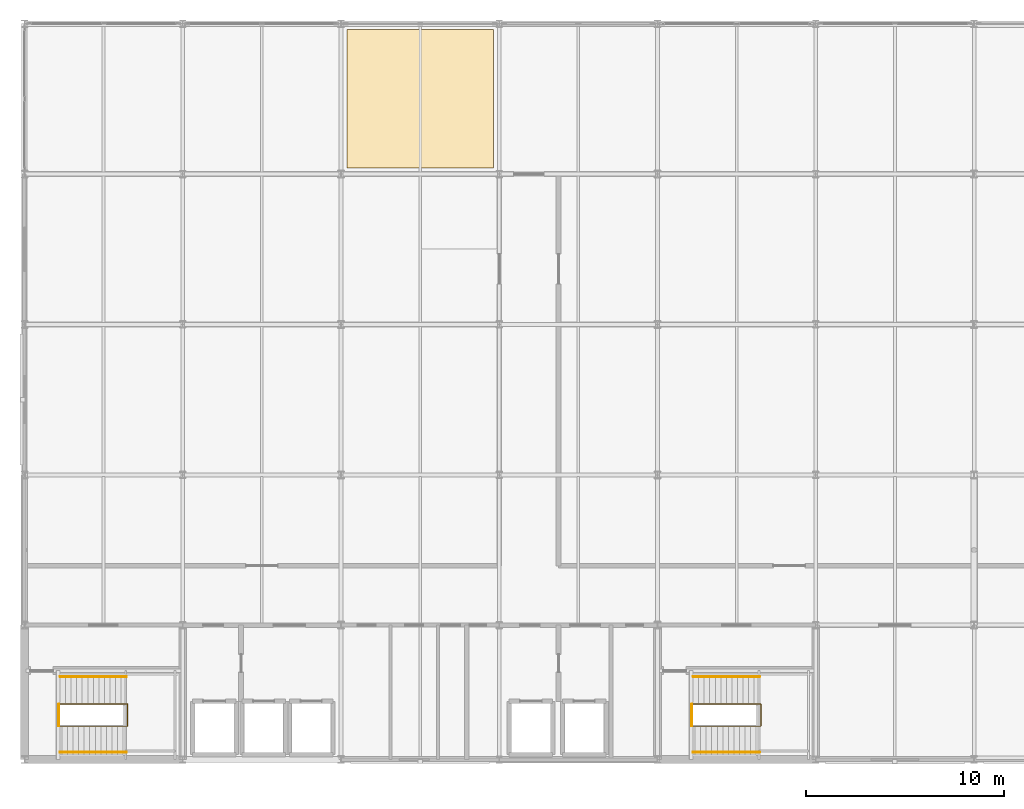
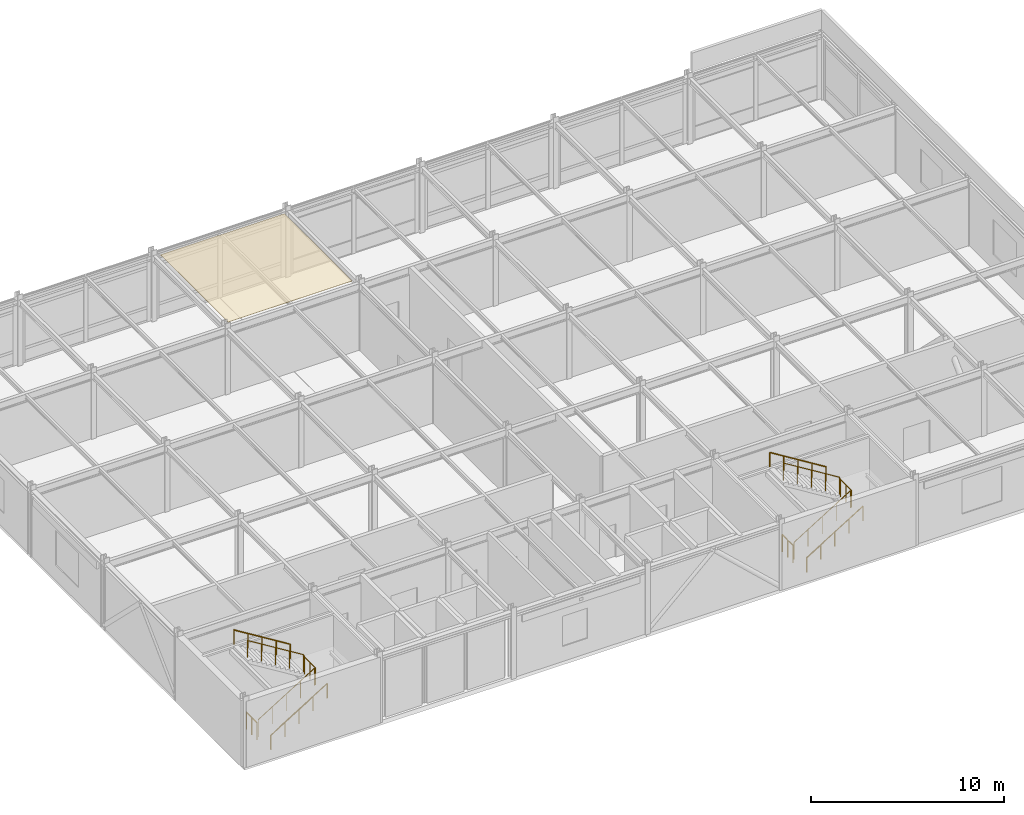
# One storey, part 16 of 16: 8 railings, 1 covering.
"""IFC4 building model written with IfcOpenShell, lengths in metres."""

import ifcopenshell
import ifcopenshell.guid

model = None  # the IFC model being written
_history = None  # IfcOwnerHistory: only IFC2X3 demands one
_inside = {}  # id of a spatial element -> (the spatial element, [elements in it])
_under = {}  # id of a project, library or spatial element -> (it, [spatial elements below it])
_declared = {}  # id of a project -> (the project, [libraries it declares])
_typed = {}  # id of a type object -> (the type object, [elements of that type])
_made_of = {}  # id of a material, layer set ... -> (it, [elements and type objects made of it])


def new_model(schema):
    """Start an empty IFC model of exactly this schema.

    Asked for "IFC4X3", IfcOpenShell would pick the latest addendum, in which some entities
    have other attributes; the version numbers below select the first issue.
    IFC2X3 requires an IfcOwnerHistory on every rooted entity: one is made here for all.
    """
    global model, _history
    if schema == "IFC4X3":
        model = ifcopenshell.file(schema_version=(4, 3, 0, 0))
    else:
        model = ifcopenshell.file(schema=schema)
    _inside.clear()
    _under.clear()
    _declared.clear()
    _typed.clear()
    _made_of.clear()
    _history = None
    if model.schema == "IFC2X3":
        org = make("IfcOrganization", Name="unknown")
        user = make(
            "IfcPersonAndOrganization",
            ThePerson=make("IfcPerson", FamilyName="unknown"),
            TheOrganization=org,
        )
        app = make(
            "IfcApplication",
            ApplicationDeveloper=org,
            Version="unknown",
            ApplicationFullName="unknown",
            ApplicationIdentifier="unknown",
        )
        _history = make(
            "IfcOwnerHistory",
            OwningUser=user,
            OwningApplication=app,
            ChangeAction="ADDED",
            CreationDate=0,
        )
    return model


def make(cls, **values):
    """One entity of the class cls with the attributes given. An attribute that is None is left unset."""
    return model.create_entity(
        cls, **{name: value for name, value in values.items() if value is not None}
    )


def rooted(cls, **values):
    """An entity with a GlobalId (a new one), such as an element, a storey or a relation."""
    return make(cls, GlobalId=ifcopenshell.guid.new(), OwnerHistory=_history, **values)


def si_unit(unit_type, name, prefix=None):
    """IfcSIUnit, for example si_unit("LENGTHUNIT", "METRE", prefix="MILLI")."""
    return make("IfcSIUnit", UnitType=unit_type, Prefix=prefix, Name=name)


def assignment(units):
    """IfcUnitAssignment: the units of a project."""
    return None if units is None else make("IfcUnitAssignment", Units=units)


def point(xyz):
    """IfcCartesianPoint."""
    return None if xyz is None else make("IfcCartesianPoint", Coordinates=xyz)


def direction(xyz):
    """IfcDirection."""
    return None if xyz is None else make("IfcDirection", DirectionRatios=xyz)


def frame(location, z_axis=None, x_axis=None):
    """IfcAxis2Placement3D, a coordinate frame: its origin and axes. An axis left out is left unset."""
    return make(
        "IfcAxis2Placement3D",
        Location=point(location),
        Axis=direction(z_axis),
        RefDirection=direction(x_axis),
    )


def frame_2d(location, x_axis=None):
    """IfcAxis2Placement2D, a coordinate frame in the plane: its origin and x axis."""
    return make(
        "IfcAxis2Placement2D", Location=point(location), RefDirection=direction(x_axis)
    )


def origin():
    """The frame at (0, 0, 0) with its axes left unset."""
    return frame((0.0, 0.0, 0.0))


def origin_2d():
    """The frame at (0, 0) in the plane with its x axis left unset."""
    return frame_2d((0.0, 0.0))


def place(relative_to, where):
    """IfcLocalPlacement: puts the frame where relative to a parent placement (None: the world)."""
    return make(
        "IfcLocalPlacement", PlacementRelTo=relative_to, RelativePlacement=where
    )


def context(
    kind, dimensions, precision=None, world=None, true_north=None, identifier=None
):
    """IfcGeometricRepresentationContext, for example the 3D "Model" context."""
    return make(
        "IfcGeometricRepresentationContext",
        ContextIdentifier=identifier,
        ContextType=kind,
        CoordinateSpaceDimension=dimensions,
        Precision=precision,
        WorldCoordinateSystem=world,
        TrueNorth=true_north,
    )


def subcontext(parent, identifier, kind, view, scale=None):
    """IfcGeometricRepresentationSubContext, for example "Body" below "Model"."""
    return make(
        "IfcGeometricRepresentationSubContext",
        ContextIdentifier=identifier,
        ContextType=kind,
        ParentContext=parent,
        TargetScale=scale,
        TargetView=view,
    )


def project(units=None, contexts=None):
    """IfcProject with its units and contexts."""
    return rooted(
        "IfcProject",
        Name="project",
        RepresentationContexts=contexts,
        UnitsInContext=assignment(units),
    )


def spatial(cls, under=None, at=None, **own):
    """A site, building, storey or space (cls), placed at a placement, below another one or the project."""
    s = rooted(cls, ObjectPlacement=at, **own)
    if under is not None:
        _under.setdefault(under.id(), (under, []))[1].append(s)
    return s


def polyline(points):
    """IfcPolyline through the points."""
    return make("IfcPolyline", Points=[point(p) for p in points])


def profile(cls, at=None, kind="AREA", **sizes):
    """A parametric profile (cls). Its sizes go by their IFC names, for example OverallWidth=200.0."""
    return make(cls, ProfileType=kind, Position=at, **sizes)


def circle(**sizes):
    """IfcCircleProfileDef."""
    return profile("IfcCircleProfileDef", **sizes)


def outline(outer, holes=None, kind="AREA"):
    """IfcArbitraryClosedProfileDef: a profile drawn as a closed curve; with holes, ...WithVoids."""
    if holes is None:
        return make("IfcArbitraryClosedProfileDef", ProfileType=kind, OuterCurve=outer)
    return make(
        "IfcArbitraryProfileDefWithVoids",
        ProfileType=kind,
        OuterCurve=outer,
        InnerCurves=holes,
    )


def extrude(swept, where, along, depth):
    """IfcExtrudedAreaSolid: the profile swept, set in the frame where, extruded along a direction by depth."""
    return make(
        "IfcExtrudedAreaSolid",
        SweptArea=swept,
        Position=where,
        ExtrudedDirection=direction(along),
        Depth=depth,
    )


def shape(context_of_items, identifier, shape_type, items):
    """IfcShapeRepresentation: the items that make up one representation, for example the "Body"."""
    return make(
        "IfcShapeRepresentation",
        ContextOfItems=context_of_items,
        RepresentationIdentifier=identifier,
        RepresentationType=shape_type,
        Items=items,
    )


def material(Name=None, Category=None):
    """IfcMaterial."""
    return make("IfcMaterial", Name=Name, Category=Category)


def layer(
    of_material, thickness, ventilated=None, Name=None, Category=None, Priority=None
):
    """IfcMaterialLayer: one layer of a wall or slab, of a material (None: an air gap)."""
    return make(
        "IfcMaterialLayer",
        Material=of_material,
        LayerThickness=thickness,
        IsVentilated=ventilated,
        Name=Name,
        Category=Category,
        Priority=Priority,
    )


def layer_set(layers, Name=None):
    """IfcMaterialLayerSet."""
    return make("IfcMaterialLayerSet", MaterialLayers=layers, LayerSetName=Name)


def made_of(thing, what):
    """Note that an element or type object is made of a material, layer set ...; save() writes the relation."""
    if what is not None:
        _made_of.setdefault(what.id(), (what, []))[1].append(thing)
    return thing


def type_object(cls, material=None, **own):
    """A type object (cls), such as IfcWallType, which elements share."""
    return made_of(rooted(cls, **own), material)


def element(
    cls,
    number,
    at=None,
    inside=None,
    cuts=None,
    type_object=None,
    material=None,
    context=None,
    identifier="Body",
    shape_type=None,
    held_by="IfcProductDefinitionShape",
    body=None,
    shapes=None,
    **own,
):
    """One element of the class cls, such as IfcWall. Its Tag is "e" and its number.

    at: its placement. inside: the storey or other place that contains it. cuts: it is an
    opening in that element (IfcRelVoidsElement). A single representation is given by context,
    identifier, shape_type and body (its items); several are given by shapes. held_by: the class
    of the entity that holds the representations. save() writes the other relations.
    """
    e = rooted(cls, Tag="e%d" % number, ObjectPlacement=at, **own)
    if body is not None:
        shapes = [shape(context, identifier, shape_type, body)]
    if shapes is not None:
        e.Representation = make(held_by, Representations=shapes)
    if inside is not None:
        _inside.setdefault(inside.id(), (inside, []))[1].append(e)
    if cuts is not None:
        rooted(
            "IfcRelVoidsElement", RelatingBuildingElement=cuts, RelatedOpeningElement=e
        )
    if type_object is not None:
        _typed.setdefault(type_object.id(), (type_object, []))[1].append(e)
    return made_of(e, material)


def aggregate(whole, parts):
    """IfcRelAggregates: a whole, such as a stair, and the parts it consists of."""
    return rooted("IfcRelAggregates", RelatingObject=whole, RelatedObjects=parts)


def save(model, path):
    """Write the relations noted so far, then the file.

    IfcRelAggregates (storeys below a building ...), IfcRelContainedInSpatialStructure (elements
    in a storey), IfcRelDefinesByType, IfcRelAssociatesMaterial and IfcRelDeclares: one each for
    every whole, place, type object, material and project.
    """
    for whole, parts in _under.values():
        aggregate(whole, parts)
    for where, things in _inside.values():
        rooted(
            "IfcRelContainedInSpatialStructure",
            RelatedElements=things,
            RelatingStructure=where,
        )
    for kind, things in _typed.values():
        rooted("IfcRelDefinesByType", RelatedObjects=things, RelatingType=kind)
    for what, things in _made_of.values():
        rooted("IfcRelAssociatesMaterial", RelatedObjects=things, RelatingMaterial=what)
    for by, libraries in _declared.values():
        rooted("IfcRelDeclares", RelatingContext=by, RelatedDefinitions=libraries)
    model.write(path)


model = new_model("IFC4")

# Units and contexts
model_context = context("Model", 3, precision=1e-05, world=origin(), true_north=direction((0.0, 1.0)))
body_context = subcontext(model_context, "Body", "Model", "MODEL_VIEW")
ifc_project = project(units=[si_unit("LENGTHUNIT", "METRE"), si_unit("AREAUNIT", "SQUARE_METRE"), si_unit("VOLUMEUNIT", "CUBIC_METRE"), si_unit("PLANEANGLEUNIT", "RADIAN"), si_unit("MASSUNIT", "GRAM", prefix="KILO")], contexts=[model_context])

# Site, building, storey
site_placement = place(None, origin())
site = spatial("IfcSite", under=ifc_project, at=site_placement, CompositionType="ELEMENT")
building_placement = place(site_placement, origin())
building = spatial("IfcBuilding", under=site, at=building_placement, Name="Shalkamar Park Central Library", CompositionType="ELEMENT")
storey_placement = place(building_placement, frame((0.0, 0.0, 51.60009765625)))
storey = spatial("IfcBuildingStorey", under=building, at=storey_placement, Name="L13", CompositionType="ELEMENT", Elevation=51.60009765625)

# Covering
ifc_material_1 = material(Name="Acoustic mineral fibre ceiling panel", Category="other")
ifc_layer = layer(ifc_material_1, 0.02490234375)
ifc_layer_set = layer_set([ifc_layer], Name="AcousticMineralCeilingTile")
covering_type = type_object("IfcCoveringType", Name="Acoustic Mineral Ceiling Tile", PredefinedType="CEILING", material=ifc_layer_set)
covering_placement = place(storey_placement, frame((0.0, 0.0, 4.15478515625)))
element("IfcCovering", 1, at=covering_placement, inside=storey, type_object=covering_type, Name="Acoustic Reading Ceiling Panel L13", PredefinedType="CEILING", context=body_context, shape_type="SweptSolid", body=[
    extrude(outline(polyline([(181.300048828125, 278.300048828125), (188.699951171875, 278.300048828125), (188.699951171875, 285.300048828125), (181.300048828125, 285.300048828125), (181.300048828125, 278.300048828125)])), origin(), (0.0, 0.0, 1.0), 0.025146484375),
])

# Railings
ifc_material_2 = material(Name="Steel S355", Category="steel")
railing_type_1 = type_object("IfcRailingType", Name="Stair Guardrail 1100", PredefinedType="GUARDRAIL", material=ifc_material_2)
railing_1_placement = place(storey_placement, frame((166.800048828125, 250.090087890625, 0.173095703125)))
element("IfcRailing", 2, at=railing_1_placement, inside=storey, type_object=railing_type_1, Name="Stair Inner Well Guardrail ST-T1-L13", PredefinedType="GUARDRAIL", context=body_context, shape_type="SweptSolid", body=[
    extrude(circle(Radius=0.02392578125, at=origin_2d()), frame((0.0, 0.0, 1.076171875), z_axis=(0.850606129759, 0.0, 0.525803396734), x_axis=(0.0, 1.0, 0.0)), (0.0, 0.0, 1.0), 3.949951171875),
    extrude(circle(Radius=0.02392578125, at=origin_2d()), frame((3.35986328125, 0.0, 3.15283203125), z_axis=(1.0, 0.0, 0.0), x_axis=(0.0, 1.0, 0.0)), (0.0, 0.0, 1.0), 0.06005859375),
    extrude(circle(Radius=0.02392578125, at=origin_2d()), frame((3.419921875, 0.0, 3.15283203125), z_axis=(0.0, 1.0, 0.0), x_axis=(-1.0, 0.0, 0.0)), (0.0, 0.0, 1.0), 1.119873046875),
    extrude(circle(Radius=0.02392578125, at=origin_2d()), frame((3.419921875, 1.119873046875, 3.15283203125), z_axis=(-0.327796974437, 0.0, 0.944748190551), x_axis=(0.0, -1.0, 0.0)), (0.0, 0.0, 1.0), 0.18310546875),
    extrude(circle(Radius=0.02392578125, at=origin_2d()), frame((3.35986328125, 1.119873046875, 3.326171875), z_axis=(-0.850606129759, 0.0, 0.525803396734), x_axis=(0.0, -1.0, 0.0)), (0.0, 0.0, 1.0), 3.949951171875),
    extrude(circle(Radius=0.02099609375, at=origin_2d()), origin(), (0.0, 0.0, 1.0), 1.052001953125),
    extrude(circle(Radius=0.02099609375, at=origin_2d()), frame((0.83984375, 0.0, 0.519287109375)), (0.0, 0.0, 1.0), 1.052001953125),
    extrude(circle(Radius=0.02099609375, at=origin_2d()), frame((1.679931640625, 0.0, 1.03857421875)), (0.0, 0.0, 1.0), 1.052001953125),
    extrude(circle(Radius=0.02099609375, at=origin_2d()), frame((2.52001953125, 0.0, 1.5576171875)), (0.0, 0.0, 1.0), 1.052001953125),
    extrude(circle(Radius=0.02099609375, at=origin_2d()), frame((3.35986328125, 0.0, 2.076904296875)), (0.0, 0.0, 1.0), 1.052001953125),
    extrude(circle(Radius=0.02099609375, at=origin_2d()), frame((3.419921875, 0.0, 2.076904296875)), (0.0, 0.0, 1.0), 1.052001953125),
    extrude(circle(Radius=0.02099609375, at=origin_2d()), frame((3.419921875, 0.56005859375, 2.076904296875)), (0.0, 0.0, 1.0), 1.052001953125),
    extrude(circle(Radius=0.02099609375, at=origin_2d()), frame((3.419921875, 1.119873046875, 2.076904296875)), (0.0, 0.0, 1.0), 1.052001953125),
    extrude(circle(Radius=0.02099609375, at=origin_2d()), frame((3.35986328125, 1.119873046875, 2.25)), (0.0, 0.0, 1.0), 1.052001953125),
    extrude(circle(Radius=0.02099609375, at=origin_2d()), frame((2.52001953125, 1.119873046875, 2.769287109375)), (0.0, 0.0, 1.0), 1.052001953125),
    extrude(circle(Radius=0.02099609375, at=origin_2d()), frame((1.679931640625, 1.119873046875, 3.28857421875)), (0.0, 0.0, 1.0), 1.052001953125),
    extrude(circle(Radius=0.02099609375, at=origin_2d()), frame((0.83984375, 1.119873046875, 3.8076171875)), (0.0, 0.0, 1.0), 1.052001953125),
    extrude(circle(Radius=0.02099609375, at=origin_2d()), frame((0.0, 1.119873046875, 4.326904296875)), (0.0, 0.0, 1.0), 1.052001953125),
])
railing_2_placement = place(storey_placement, frame((166.739990234375, 250.10009765625, 0.0)))
element("IfcRailing", 3, at=railing_2_placement, inside=storey, type_object=railing_type_1, Name="Stair Arrival Well Guardrail ST-T1 (L13)", PredefinedType="GUARDRAIL", context=body_context, shape_type="SweptSolid", body=[
    extrude(circle(Radius=0.02392578125, at=origin_2d()), frame((0.0, 0.0, 1.076171875), z_axis=(0.0, 1.0, 0.0), x_axis=(-1.0, 0.0, 0.0)), (0.0, 0.0, 1.0), 1.099853515625),
    extrude(circle(Radius=0.02099609375, at=origin_2d()), origin(), (0.0, 0.0, 1.0), 1.052001953125),
    extrude(circle(Radius=0.02099609375, at=origin_2d()), frame((0.0, 0.5498046875, 0.0)), (0.0, 0.0, 1.0), 1.052001953125),
    extrude(circle(Radius=0.02099609375, at=origin_2d()), frame((0.0, 1.099853515625, 0.0)), (0.0, 0.0, 1.0), 1.052001953125),
])
railing_3_placement = place(storey_placement, frame((198.800048828125, 250.090087890625, 0.173095703125)))
element("IfcRailing", 4, at=railing_3_placement, inside=storey, type_object=railing_type_1, Name="Stair Inner Well Guardrail ST-T2-L13", PredefinedType="GUARDRAIL", context=body_context, shape_type="SweptSolid", body=[
    extrude(circle(Radius=0.02392578125, at=origin_2d()), frame((0.0, 0.0, 1.076171875), z_axis=(0.850606129759, 0.0, 0.525803396734), x_axis=(0.0, 1.0, 0.0)), (0.0, 0.0, 1.0), 3.949951171875),
    extrude(circle(Radius=0.02392578125, at=origin_2d()), frame((3.35986328125, 0.0, 3.15283203125), z_axis=(1.0, 0.0, 0.0), x_axis=(0.0, 1.0, 0.0)), (0.0, 0.0, 1.0), 0.06005859375),
    extrude(circle(Radius=0.02392578125, at=origin_2d()), frame((3.419921875, 0.0, 3.15283203125), z_axis=(0.0, 1.0, 0.0), x_axis=(-1.0, 0.0, 0.0)), (0.0, 0.0, 1.0), 1.119873046875),
    extrude(circle(Radius=0.02392578125, at=origin_2d()), frame((3.419921875, 1.119873046875, 3.15283203125), z_axis=(-0.327796974437, 0.0, 0.944748190551), x_axis=(0.0, -1.0, 0.0)), (0.0, 0.0, 1.0), 0.18310546875),
    extrude(circle(Radius=0.02392578125, at=origin_2d()), frame((3.35986328125, 1.119873046875, 3.326171875), z_axis=(-0.850606129759, 0.0, 0.525803396734), x_axis=(0.0, -1.0, 0.0)), (0.0, 0.0, 1.0), 3.949951171875),
    extrude(circle(Radius=0.02099609375, at=origin_2d()), origin(), (0.0, 0.0, 1.0), 1.052001953125),
    extrude(circle(Radius=0.02099609375, at=origin_2d()), frame((0.83984375, 0.0, 0.519287109375)), (0.0, 0.0, 1.0), 1.052001953125),
    extrude(circle(Radius=0.02099609375, at=origin_2d()), frame((1.679931640625, 0.0, 1.03857421875)), (0.0, 0.0, 1.0), 1.052001953125),
    extrude(circle(Radius=0.02099609375, at=origin_2d()), frame((2.52001953125, 0.0, 1.5576171875)), (0.0, 0.0, 1.0), 1.052001953125),
    extrude(circle(Radius=0.02099609375, at=origin_2d()), frame((3.35986328125, 0.0, 2.076904296875)), (0.0, 0.0, 1.0), 1.052001953125),
    extrude(circle(Radius=0.02099609375, at=origin_2d()), frame((3.419921875, 0.0, 2.076904296875)), (0.0, 0.0, 1.0), 1.052001953125),
    extrude(circle(Radius=0.02099609375, at=origin_2d()), frame((3.419921875, 0.56005859375, 2.076904296875)), (0.0, 0.0, 1.0), 1.052001953125),
    extrude(circle(Radius=0.02099609375, at=origin_2d()), frame((3.419921875, 1.119873046875, 2.076904296875)), (0.0, 0.0, 1.0), 1.052001953125),
    extrude(circle(Radius=0.02099609375, at=origin_2d()), frame((3.35986328125, 1.119873046875, 2.25)), (0.0, 0.0, 1.0), 1.052001953125),
    extrude(circle(Radius=0.02099609375, at=origin_2d()), frame((2.52001953125, 1.119873046875, 2.769287109375)), (0.0, 0.0, 1.0), 1.052001953125),
    extrude(circle(Radius=0.02099609375, at=origin_2d()), frame((1.679931640625, 1.119873046875, 3.28857421875)), (0.0, 0.0, 1.0), 1.052001953125),
    extrude(circle(Radius=0.02099609375, at=origin_2d()), frame((0.83984375, 1.119873046875, 3.8076171875)), (0.0, 0.0, 1.0), 1.052001953125),
    extrude(circle(Radius=0.02099609375, at=origin_2d()), frame((0.0, 1.119873046875, 4.326904296875)), (0.0, 0.0, 1.0), 1.052001953125),
])
railing_4_placement = place(storey_placement, frame((198.739990234375, 250.10009765625, 0.0)))
element("IfcRailing", 5, at=railing_4_placement, inside=storey, type_object=railing_type_1, Name="Stair Arrival Well Guardrail ST-T2 (L13)", PredefinedType="GUARDRAIL", context=body_context, shape_type="SweptSolid", body=[
    extrude(circle(Radius=0.02392578125, at=origin_2d()), frame((0.0, 0.0, 1.076171875), z_axis=(0.0, 1.0, 0.0), x_axis=(-1.0, 0.0, 0.0)), (0.0, 0.0, 1.0), 1.099853515625),
    extrude(circle(Radius=0.02099609375, at=origin_2d()), origin(), (0.0, 0.0, 1.0), 1.052001953125),
    extrude(circle(Radius=0.02099609375, at=origin_2d()), frame((0.0, 0.5498046875, 0.0)), (0.0, 0.0, 1.0), 1.052001953125),
    extrude(circle(Radius=0.02099609375, at=origin_2d()), frame((0.0, 1.099853515625, 0.0)), (0.0, 0.0, 1.0), 1.052001953125),
])
railing_type_2 = type_object("IfcRailingType", Name="Stair Pitched Handrail 920", PredefinedType="HANDRAIL", material=ifc_material_2)
railing_5_placement = place(storey_placement, frame((166.800048828125, 248.780029296875, 0.173095703125)))
element("IfcRailing", 6, at=railing_5_placement, inside=storey, type_object=railing_type_2, Name="Stair Wall Handrail ST-T1-L13 Flight 1", PredefinedType="HANDRAIL", context=body_context, shape_type="SweptSolid", body=[
    extrude(circle(Radius=0.02392578125, at=origin_2d()), frame((0.0, 0.0, 0.89599609375), z_axis=(0.850606129759, 0.0, 0.525803396734), x_axis=(0.0, 1.0, 0.0)), (0.0, 0.0, 1.0), 3.949951171875),
    extrude(circle(Radius=0.02099609375, at=origin_2d()), origin(), (0.0, 0.0, 1.0), 0.871826171875),
    extrude(circle(Radius=0.02099609375, at=origin_2d()), frame((0.83984375, 0.0, 0.519287109375)), (0.0, 0.0, 1.0), 0.871826171875),
    extrude(circle(Radius=0.02099609375, at=origin_2d()), frame((1.679931640625, 0.0, 1.03857421875)), (0.0, 0.0, 1.0), 0.871826171875),
    extrude(circle(Radius=0.02099609375, at=origin_2d()), frame((2.52001953125, 0.0, 1.5576171875)), (0.0, 0.0, 1.0), 0.871826171875),
    extrude(circle(Radius=0.02099609375, at=origin_2d()), frame((3.35986328125, 0.0, 2.076904296875)), (0.0, 0.0, 1.0), 0.871826171875),
])
railing_6_placement = place(storey_placement, frame((170.159912109375, 252.60009765625, 2.423095703125)))
element("IfcRailing", 7, at=railing_6_placement, inside=storey, type_object=railing_type_2, Name="Stair Wall Handrail ST-T1-L13 Flight 2", PredefinedType="HANDRAIL", context=body_context, shape_type="SweptSolid", body=[
    extrude(circle(Radius=0.02392578125, at=origin_2d()), frame((0.0, 0.0, 0.89599609375), z_axis=(-0.850606129759, 0.0, 0.525803396734), x_axis=(0.0, -1.0, 0.0)), (0.0, 0.0, 1.0), 3.949951171875),
    extrude(circle(Radius=0.02099609375, at=origin_2d()), origin(), (0.0, 0.0, 1.0), 0.871826171875),
    extrude(circle(Radius=0.02099609375, at=origin_2d()), frame((-0.83984375, 0.0, 0.519287109375)), (0.0, 0.0, 1.0), 0.871826171875),
    extrude(circle(Radius=0.02099609375, at=origin_2d()), frame((-1.679931640625, 0.0, 1.03857421875)), (0.0, 0.0, 1.0), 0.871826171875),
    extrude(circle(Radius=0.02099609375, at=origin_2d()), frame((-2.52001953125, 0.0, 1.5576171875)), (0.0, 0.0, 1.0), 0.871826171875),
    extrude(circle(Radius=0.02099609375, at=origin_2d()), frame((-3.35986328125, 0.0, 2.076904296875)), (0.0, 0.0, 1.0), 0.871826171875),
])
railing_7_placement = place(storey_placement, frame((198.800048828125, 248.780029296875, 0.173095703125)))
element("IfcRailing", 8, at=railing_7_placement, inside=storey, type_object=railing_type_2, Name="Stair Wall Handrail ST-T2-L13 Flight 1", PredefinedType="HANDRAIL", context=body_context, shape_type="SweptSolid", body=[
    extrude(circle(Radius=0.02392578125, at=origin_2d()), frame((0.0, 0.0, 0.89599609375), z_axis=(0.850606129759, 0.0, 0.525803396734), x_axis=(0.0, 1.0, 0.0)), (0.0, 0.0, 1.0), 3.949951171875),
    extrude(circle(Radius=0.02099609375, at=origin_2d()), origin(), (0.0, 0.0, 1.0), 0.871826171875),
    extrude(circle(Radius=0.02099609375, at=origin_2d()), frame((0.83984375, 0.0, 0.519287109375)), (0.0, 0.0, 1.0), 0.871826171875),
    extrude(circle(Radius=0.02099609375, at=origin_2d()), frame((1.679931640625, 0.0, 1.03857421875)), (0.0, 0.0, 1.0), 0.871826171875),
    extrude(circle(Radius=0.02099609375, at=origin_2d()), frame((2.52001953125, 0.0, 1.5576171875)), (0.0, 0.0, 1.0), 0.871826171875),
    extrude(circle(Radius=0.02099609375, at=origin_2d()), frame((3.35986328125, 0.0, 2.076904296875)), (0.0, 0.0, 1.0), 0.871826171875),
])
railing_8_placement = place(storey_placement, frame((202.159912109375, 252.60009765625, 2.423095703125)))
element("IfcRailing", 9, at=railing_8_placement, inside=storey, type_object=railing_type_2, Name="Stair Wall Handrail ST-T2-L13 Flight 2", PredefinedType="HANDRAIL", context=body_context, shape_type="SweptSolid", body=[
    extrude(circle(Radius=0.02392578125, at=origin_2d()), frame((0.0, 0.0, 0.89599609375), z_axis=(-0.850606129759, 0.0, 0.525803396734), x_axis=(0.0, -1.0, 0.0)), (0.0, 0.0, 1.0), 3.949951171875),
    extrude(circle(Radius=0.02099609375, at=origin_2d()), origin(), (0.0, 0.0, 1.0), 0.871826171875),
    extrude(circle(Radius=0.02099609375, at=origin_2d()), frame((-0.83984375, 0.0, 0.519287109375)), (0.0, 0.0, 1.0), 0.871826171875),
    extrude(circle(Radius=0.02099609375, at=origin_2d()), frame((-1.679931640625, 0.0, 1.03857421875)), (0.0, 0.0, 1.0), 0.871826171875),
    extrude(circle(Radius=0.02099609375, at=origin_2d()), frame((-2.52001953125, 0.0, 1.5576171875)), (0.0, 0.0, 1.0), 0.871826171875),
    extrude(circle(Radius=0.02099609375, at=origin_2d()), frame((-3.35986328125, 0.0, 2.076904296875)), (0.0, 0.0, 1.0), 0.871826171875),
])

save(model, "model.ifc")
